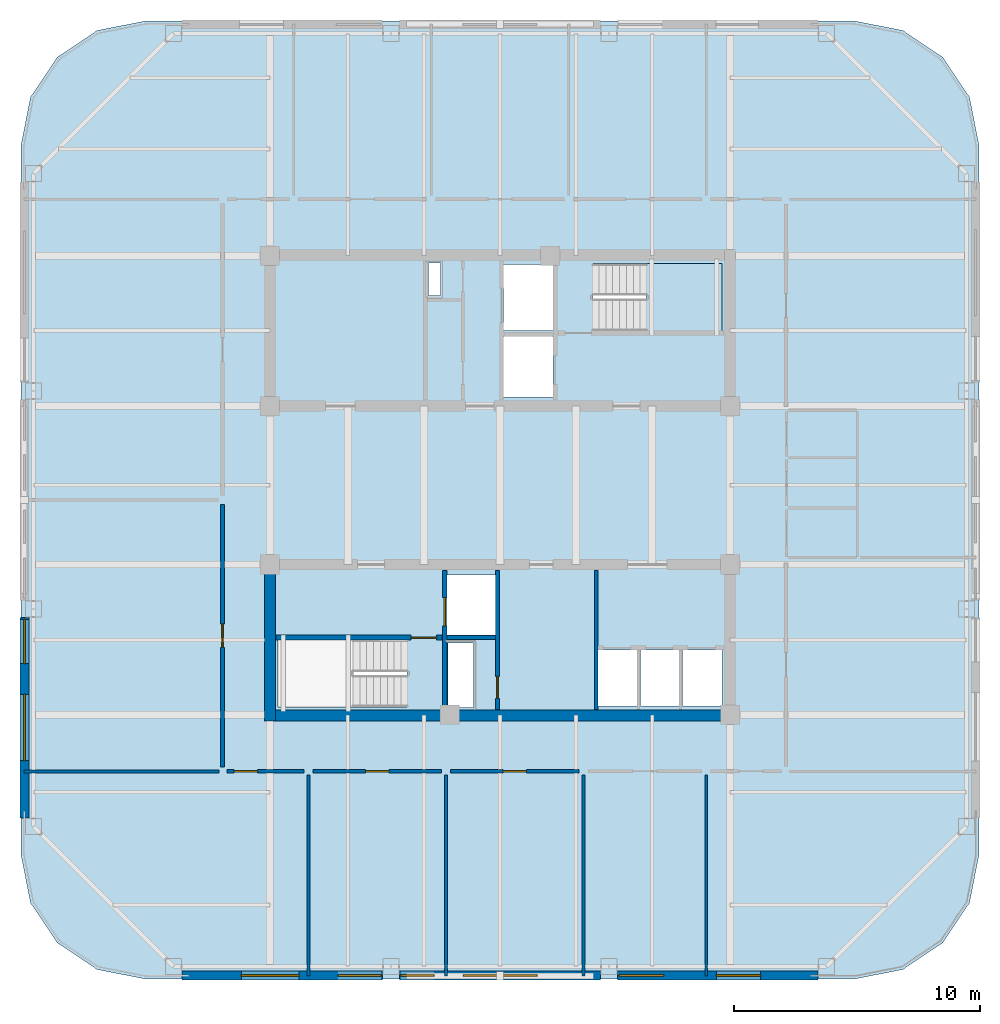
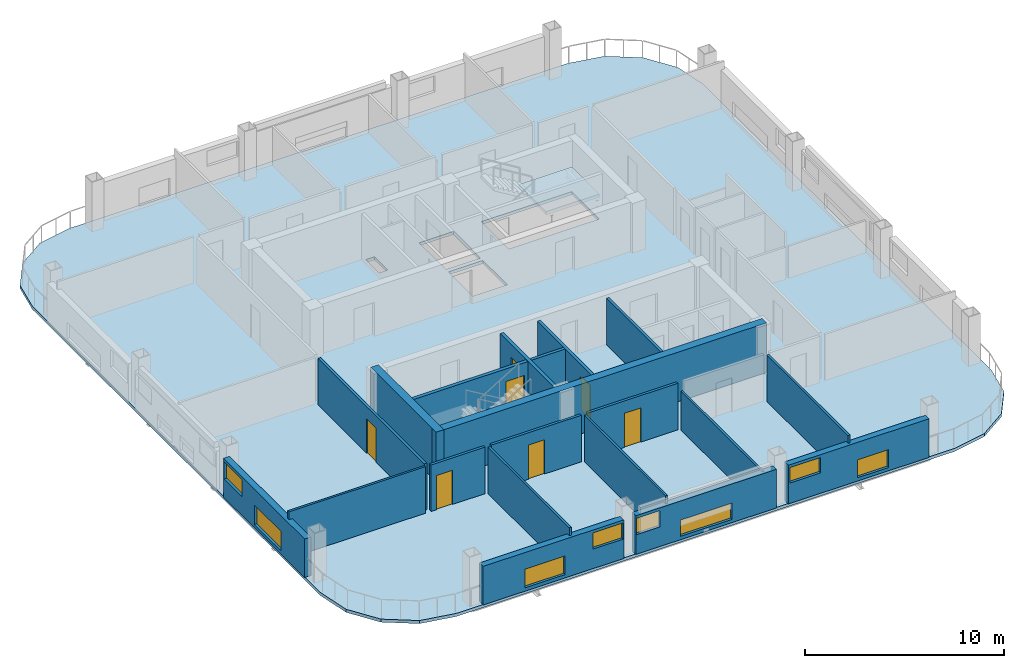
# One storey, part 2 of 8: 20 walls, 8 windows, 7 doors, 2 slabs, 15 openings, 1 element without a shape of its own.
"""IFC4 building model written with IfcOpenShell, lengths in metres."""

from ifc_helpers import new_model, si_unit, direction, frame, frame_2d, origin, place, context, subcontext, project, spatial, polyline, rectangle, outline, extrude, material, layer, layer_set, type_object, element, fill, aggregate, save


model = new_model("IFC4")

# Units and contexts
model_context = context("Model", 3, precision=1e-05, world=origin(), true_north=direction((0.0, 1.0)))
body_context = subcontext(model_context, "Body", "Model", "MODEL_VIEW")
ifc_project = project(units=[si_unit("LENGTHUNIT", "METRE"), si_unit("AREAUNIT", "SQUARE_METRE"), si_unit("VOLUMEUNIT", "CUBIC_METRE"), si_unit("PLANEANGLEUNIT", "RADIAN"), si_unit("MASSUNIT", "GRAM", prefix="KILO")], contexts=[model_context])

# Site, building, storey
site_placement = place(None, origin())
site = spatial("IfcSite", under=ifc_project, at=site_placement, CompositionType="ELEMENT")
building_placement = place(site_placement, origin())
building = spatial("IfcBuilding", under=site, at=building_placement, Name="Qhalaya Broadcast Tower", CompositionType="ELEMENT")
storey_placement = place(building_placement, frame((0.0, 0.0, 214.75)))
storey = spatial("IfcBuildingStorey", under=building, at=storey_placement, Name="L63", CompositionType="ELEMENT", Elevation=214.75)

# Stair, slab
ifc_material_1 = material(Name="Concrete C40/50", Category="concrete")
stair_type = type_object("IfcStairType", Name="Protected Dogleg Core Stair 3150", PredefinedType="TWO_STRAIGHT_RUN_STAIR", material=ifc_material_1)
stair_placement = place(storey_placement, origin())
stair = element("IfcStair", 1, at=stair_placement, inside=storey, type_object=stair_type, Name="L63 North Core Exit Stair ST-1", PredefinedType="TWO_STRAIGHT_RUN_STAIR")
ifc_layer_1 = layer(ifc_material_1, 0.199951171875, Name="Concrete C40/50")
ifc_layer_set_1 = layer_set([ifc_layer_1], Name="Concrete C40/50")
slab_type_1 = type_object("IfcSlabType", Name="Stair & Ramp Half-Landing Slab 200", PredefinedType="LANDING", material=ifc_layer_set_1)
slab_1_placement = place(storey_placement, frame((0.0, 0.0, 1.324951171875)))
slab_1 = element("IfcSlab", 2, at=slab_1_placement, type_object=slab_type_1, Name="ST-1 landing 1", PredefinedType="LANDING", context=body_context, shape_type="SweptSolid", body=[
    extrude(outline(polyline([(5.955078125, 6.8798828125), (9.050048828125, 6.8798828125), (9.050048828125, 9.639892578125), (5.955078125, 9.639892578125), (5.955078125, 6.8798828125)])), origin(), (0.0, 0.0, 1.0), 0.199951171875),
])
aggregate(stair, [slab_1])

# Slab
ifc_layer_2 = layer(ifc_material_1, 0.18994140625, Name="Concrete C40/50")
ifc_layer_set_2 = layer_set([ifc_layer_2], Name="Concrete C40/50")
slab_type_2 = type_object("IfcSlabType", Name="Upper Tower Composite Floor Slab 190", PredefinedType="FLOOR", material=ifc_layer_set_2)
slab_2_placement = place(storey_placement, frame((0.0, 0.0, -0.18994140625)))
element("IfcSlab", 3, at=slab_2_placement, inside=storey, type_object=slab_type_2, Name="L63 Main Structural Floor Slab", PredefinedType="FLOOR", context=body_context, shape_type="SweptSolid", body=[
    extrude(outline(polyline([(14.5, -19.5), (16.413330078125, -19.119384765625), (18.035400390625, -18.035400390625), (19.119384765625, -16.413330078125), (19.5, -14.5), (19.5, 14.5), (19.119384765625, 16.413330078125), (18.035400390625, 18.035400390625), (16.413330078125, 19.119384765625), (14.5, 19.5), (-14.5, 19.5), (-16.413330078125, 19.119384765625), (-18.035400390625, 18.035400390625), (-19.119384765625, 16.413330078125), (-19.5, 14.5), (-19.5, -14.5), (-19.119384765625, -16.413330078125), (-18.035400390625, -18.035400390625), (-16.413330078125, -19.119384765625), (-14.5, -19.5), (14.5, -19.5)]), holes=[polyline([(3.784912109375, 9.639892578125), (9.050048828125, 9.639892578125), (9.050048828125, 6.8798828125), (3.784912109375, 6.8798828125), (3.784912109375, 9.639892578125)]), polyline([(-3.784912109375, -8.43994140625), (-9.050048828125, -8.43994140625), (-9.050048828125, -5.679931640625), (-3.784912109375, -5.679931640625), (-3.784912109375, -8.43994140625)]), polyline([(0.14990234375, 6.64990234375), (2.14990234375, 6.64990234375), (2.14990234375, 4.199951171875), (0.14990234375, 4.199951171875), (0.14990234375, 6.64990234375)]), polyline([(0.14990234375, 9.60009765625), (2.14990234375, 9.60009765625), (2.14990234375, 6.89990234375), (0.14990234375, 6.89990234375), (0.14990234375, 9.60009765625)]), polyline([(-2.14990234375, -3.050048828125), (-0.14990234375, -3.050048828125), (-0.14990234375, -5.5), (-2.14990234375, -5.5), (-2.14990234375, -3.050048828125)]), polyline([(4.0, -6.10009765625), (5.60009765625, -6.10009765625), (5.60009765625, -8.39990234375), (4.0, -8.39990234375), (4.0, -6.10009765625)]), polyline([(5.719970703125, -6.10009765625), (7.320068359375, -6.10009765625), (7.320068359375, -8.39990234375), (5.719970703125, -8.39990234375), (5.719970703125, -6.10009765625)]), polyline([(7.43994140625, -6.10009765625), (9.0400390625, -6.10009765625), (9.0400390625, -8.39990234375), (7.43994140625, -8.39990234375), (7.43994140625, -6.10009765625)]), polyline([(-2.919921875, 9.659912109375), (-2.419921875, 9.659912109375), (-2.419921875, 8.320068359375), (-2.919921875, 8.320068359375), (-2.919921875, 9.659912109375)]), polyline([(-2.1201171875, -5.820068359375), (-1.080078125, -5.820068359375), (-1.080078125, -8.4599609375), (-2.1201171875, -8.4599609375), (-2.1201171875, -5.820068359375)])]), origin(), (0.0, 0.0, 1.0), 0.18994140625),
])

# Wall
ifc_material_2 = material(Name="Gypsum Acoustic Partition")
ifc_layer_3 = layer(ifc_material_2, 0.14990234375, Name="Gypsum Acoustic Partition")
ifc_layer_set_3 = layer_set([ifc_layer_3], Name="Gypsum Acoustic Partition")
wall_type_1 = type_object("IfcWallType", Name="Corridor & Tenancy Acoustic Partition 150", PredefinedType="PARTITIONING", material=ifc_layer_set_3)
wall_1_placement = place(storey_placement, frame((3.919921875, -8.530029296875, 0.0), z_axis=(0.0, 0.0, 1.0), x_axis=(0.0, 1.0, 0.0)))
element("IfcWall", 4, at=wall_1_placement, inside=storey, type_object=wall_type_1, Name="L63 Partition Wall SCW-HSEP", PredefinedType="PARTITIONING", context=body_context, shape_type="SweptSolid", body=[
    extrude(rectangle(XDim=5.659912109375, YDim=0.14990234375, at=frame_2d((2.830078125, 0.0))), origin(), (0.0, 0.0, 1.0), 2.860107421875),
])

# Wall, opening, door
wall_2_placement = place(storey_placement, frame((-11.1201171875, -11.050048828125, 0.0), z_axis=(0.0, 0.0, 1.0), x_axis=(1.0, 0.0, 0.0)))
wall_2 = element("IfcWall", 5, at=wall_2_placement, inside=storey, type_object=wall_type_1, Name="L63 Partition Wall W-COR-06", PredefinedType="PARTITIONING", context=body_context, shape_type="SweptSolid", body=[
    extrude(rectangle(XDim=3.14013671875, YDim=0.14990234375, at=frame_2d((1.570068359375, 0.0))), origin(), (0.0, 0.0, 1.0), 2.860107421875),
])
opening_1_placement = place(wall_2_placement, frame((0.294921875, 0.0, 0.0)))
opening_1 = element("IfcOpeningElement", 6, at=opening_1_placement, cuts=wall_2, Name="Opening D10", PredefinedType="OPENING", context=body_context, shape_type="SweptSolid", body=[
    extrude(rectangle(XDim=0.949951171875, YDim=2.10009765625, at=frame_2d((0.47509765625, 1.050048828125))), frame((0.0, 0.0869140625, 0.0), z_axis=(0.0, -1.0, 0.0), x_axis=(1.0, 0.0, 0.0)), (0.0, 0.0, 1.0), 0.173828125),
])
ifc_material_3 = material(Name="Timber Veneer Acoustic Door", Category="wood")
door_type_1 = type_object("IfcDoorType", Name="Cellular Office & Edit Booth Door D10", OperationType="NOTDEFINED", PredefinedType="DOOR", material=ifc_material_3)
door_1_placement = place(opening_1_placement, origin())
door_1 = element("IfcDoor", 7, at=door_1_placement, inside=storey, type_object=door_type_1, Name="L63 Door D-RM06", OperationType="SINGLE_SWING_RIGHT", OverallHeight=2.10009765625, OverallWidth=0.949951171875, PredefinedType="DOOR", context=body_context, shape_type="SweptSolid", body=[
    extrude(rectangle(XDim=0.949951171875, YDim=2.10009765625, at=frame_2d((0.47509765625, 1.050048828125))), frame((0.0, 0.02490234375, 0.0), z_axis=(0.0, -1.0, 0.0), x_axis=(1.0, 0.0, 0.0)), (0.0, 0.0, 1.0), 0.050048828125),
])
fill(opening_1, door_1)

wall_3_placement = place(storey_placement, frame((-7.6201171875, -11.050048828125, 0.0), z_axis=(0.0, 0.0, 1.0), x_axis=(1.0, 0.0, 0.0)))
wall_3 = element("IfcWall", 8, at=wall_3_placement, inside=storey, type_object=wall_type_1, Name="L63 Partition Wall W-COR-07", PredefinedType="PARTITIONING", context=body_context, shape_type="SweptSolid", body=[
    extrude(rectangle(XDim=5.240234375, YDim=0.14990234375, at=frame_2d((2.6201171875, 0.0))), origin(), (0.0, 0.0, 1.0), 2.860107421875),
])
opening_2_placement = place(wall_3_placement, frame((2.14501953125, 0.0, 0.0)))
opening_2 = element("IfcOpeningElement", 9, at=opening_2_placement, cuts=wall_3, Name="Opening D10", PredefinedType="OPENING", context=body_context, shape_type="SweptSolid", body=[
    extrude(rectangle(XDim=0.949951171875, YDim=2.10009765625, at=frame_2d((0.47509765625, 1.050048828125))), frame((0.0, 0.0869140625, 0.0), z_axis=(0.0, -1.0, 0.0), x_axis=(1.0, 0.0, 0.0)), (0.0, 0.0, 1.0), 0.173828125),
])
door_2_placement = place(opening_2_placement, origin())
door_2 = element("IfcDoor", 10, at=door_2_placement, inside=storey, type_object=door_type_1, Name="L63 Door D-RM07", OperationType="SINGLE_SWING_LEFT", OverallHeight=2.10009765625, OverallWidth=0.949951171875, PredefinedType="DOOR", context=body_context, shape_type="SweptSolid", body=[
    extrude(rectangle(XDim=0.949951171875, YDim=2.10009765625, at=frame_2d((0.47509765625, 1.050048828125))), frame((0.0, 0.02490234375, 0.0), z_axis=(0.0, -1.0, 0.0), x_axis=(1.0, 0.0, 0.0)), (0.0, 0.0, 1.0), 0.050048828125),
])
fill(opening_2, door_2)

wall_4_placement = place(storey_placement, frame((-2.02001953125, -11.050048828125, 0.0), z_axis=(0.0, 0.0, 1.0), x_axis=(1.0, 0.0, 0.0)))
wall_4 = element("IfcWall", 11, at=wall_4_placement, inside=storey, type_object=wall_type_1, Name="L63 Partition Wall W-COR-08", PredefinedType="PARTITIONING", context=body_context, shape_type="SweptSolid", body=[
    extrude(rectangle(XDim=5.239990234375, YDim=0.14990234375, at=frame_2d((2.6201171875, 0.0))), origin(), (0.0, 0.0, 1.0), 2.860107421875),
])
opening_3_placement = place(wall_4_placement, frame((2.14501953125, 0.0, 0.0)))
opening_3 = element("IfcOpeningElement", 12, at=opening_3_placement, cuts=wall_4, Name="Opening D10", PredefinedType="OPENING", context=body_context, shape_type="SweptSolid", body=[
    extrude(rectangle(XDim=0.949951171875, YDim=2.10009765625, at=frame_2d((0.47509765625, 1.050048828125))), frame((0.0, 0.0869140625, 0.0), z_axis=(0.0, -1.0, 0.0), x_axis=(1.0, 0.0, 0.0)), (0.0, 0.0, 1.0), 0.173828125),
])
door_3_placement = place(opening_3_placement, origin())
door_3 = element("IfcDoor", 13, at=door_3_placement, inside=storey, type_object=door_type_1, Name="L63 Door D-RM08", OperationType="SINGLE_SWING_RIGHT", OverallHeight=2.10009765625, OverallWidth=0.949951171875, PredefinedType="DOOR", context=body_context, shape_type="SweptSolid", body=[
    extrude(rectangle(XDim=0.949951171875, YDim=2.10009765625, at=frame_2d((0.47509765625, 1.050048828125))), frame((0.0, 0.02490234375, 0.0), z_axis=(0.0, -1.0, 0.0), x_axis=(1.0, 0.0, 0.0)), (0.0, 0.0, 1.0), 0.050048828125),
])
fill(opening_3, door_3)

wall_5_placement = place(storey_placement, frame((-11.300048828125, -10.8701171875, 0.0), z_axis=(0.0, 0.0, 1.0), x_axis=(0.0, 1.0, 0.0)))
wall_5 = element("IfcWall", 14, at=wall_5_placement, inside=storey, type_object=wall_type_1, Name="L63 Partition Wall W-COR-11", PredefinedType="PARTITIONING", context=body_context, shape_type="SweptSolid", body=[
    extrude(rectangle(XDim=10.690185546875, YDim=0.14990234375, at=frame_2d((5.34521484375, 0.0))), origin(), (0.0, 0.0, 1.0), 2.860107421875),
])
opening_4_placement = place(wall_5_placement, frame((4.8701171875, 0.0, 0.0)))
opening_4 = element("IfcOpeningElement", 15, at=opening_4_placement, cuts=wall_5, Name="Opening D10", PredefinedType="OPENING", context=body_context, shape_type="SweptSolid", body=[
    extrude(rectangle(XDim=0.949951171875, YDim=2.10009765625, at=frame_2d((0.47509765625, 1.050048828125))), frame((0.0, 0.0869140625, 0.0), z_axis=(0.0, -1.0, 0.0), x_axis=(1.0, 0.0, 0.0)), (0.0, 0.0, 1.0), 0.173828125),
])
door_4_placement = place(opening_4_placement, origin())
door_4 = element("IfcDoor", 16, at=door_4_placement, inside=storey, type_object=door_type_1, Name="L63 Door D-RM11", OperationType="SINGLE_SWING_LEFT", OverallHeight=2.10009765625, OverallWidth=0.949951171875, PredefinedType="DOOR", context=body_context, shape_type="SweptSolid", body=[
    extrude(rectangle(XDim=0.949951171875, YDim=2.10009765625, at=frame_2d((0.47509765625, 1.050048828125))), frame((0.0, 0.02490234375, 0.0), z_axis=(0.0, -1.0, 0.0), x_axis=(1.0, 0.0, 0.0)), (0.0, 0.0, 1.0), 0.050048828125),
])
fill(opening_4, door_4)

# Wall, openings, windows
ifc_material_4 = material(Name="Precast Concrete C40/50", Category="concrete")
ifc_layer_4 = layer(ifc_material_4, 0.360107421875, Name="Precast Concrete C40/50")
ifc_layer_set_4 = layer_set([ifc_layer_4], Name="Precast Concrete C40/50")
wall_type_2 = type_object("IfcWallType", Name="Insulated Precast Terracotta Exterior Wall 360", PredefinedType="SOLIDWALL", material=ifc_layer_set_4)
wall_6_placement = place(storey_placement, frame((12.9619140625, -19.360107421875, 0.0), z_axis=(0.0, 0.0, 1.0), x_axis=(-1.0, 0.0, 0.0)))
wall_6 = element("IfcWall", 17, at=wall_6_placement, inside=storey, type_object=wall_type_2, Name="L63 Exoskeleton Diagrid Infill Wall S1", PredefinedType="SOLIDWALL", context=body_context, shape_type="SweptSolid", body=[
    extrude(rectangle(XDim=8.1787109375, YDim=0.360107421875, at=frame_2d((4.08935546875, 0.0))), origin(), (0.0, 0.0, 1.0), 2.3740234375),
])
opening_5_placement = place(wall_6_placement, frame((2.35009765625, 0.0, 0.199951171875)))
opening_5 = element("IfcOpeningElement", 18, at=opening_5_placement, cuts=wall_6, Name="Opening W13", PredefinedType="OPENING", context=body_context, shape_type="SweptSolid", body=[
    extrude(rectangle(XDim=1.800048828125, YDim=1.10009765625, at=frame_2d((0.89990234375, 0.550048828125))), frame((0.0, 0.192138671875, 0.0), z_axis=(0.0, -1.0, 0.0), x_axis=(1.0, 0.0, 0.0)), (0.0, 0.0, 1.0), 0.384033203125),
])
opening_6_placement = place(wall_6_placement, frame((6.300048828125, 0.0, 1.25)))
opening_6 = element("IfcOpeningElement", 19, at=opening_6_placement, cuts=wall_6, Name="Opening W13", PredefinedType="OPENING", context=body_context, shape_type="SweptSolid", body=[
    extrude(rectangle(XDim=1.800048828125, YDim=0.949951171875, at=frame_2d((0.89990234375, 0.47509765625))), frame((0.0, 0.192138671875, 0.0), z_axis=(0.0, -1.0, 0.0), x_axis=(1.0, 0.0, 0.0)), (0.0, 0.0, 1.0), 0.384033203125),
])
ifc_material_5 = material(Name="Solar-Control Low-E Triple Glazing", Category="glass")
window_type = type_object("IfcWindowType", Name="Upper-Block Diagrid Infill Window W13", PartitioningType="SINGLE_PANEL", PredefinedType="WINDOW", material=ifc_material_5)
window_1_placement = place(opening_5_placement, origin())
window_1 = element("IfcWindow", 20, at=window_1_placement, inside=storey, type_object=window_type, Name="L63 Diagrid Infill Window W13-S1", OverallHeight=1.10009765625, OverallWidth=1.800048828125, PartitioningType="SINGLE_PANEL", PredefinedType="WINDOW", context=body_context, shape_type="SweptSolid", body=[
    extrude(rectangle(XDim=1.800048828125, YDim=1.10009765625, at=frame_2d((0.89990234375, 0.550048828125))), frame((0.0, 0.030029296875, 0.0), z_axis=(0.0, -1.0, 0.0), x_axis=(1.0, 0.0, 0.0)), (0.0, 0.0, 1.0), 0.06005859375),
])
fill(opening_5, window_1)
window_2_placement = place(opening_6_placement, origin())
window_2 = element("IfcWindow", 21, at=window_2_placement, inside=storey, type_object=window_type, Name="L63 Diagrid Infill Window W13-S2", OverallHeight=0.949951171875, OverallWidth=1.800048828125, PartitioningType="SINGLE_PANEL", PredefinedType="WINDOW", context=body_context, shape_type="SweptSolid", body=[
    extrude(rectangle(XDim=1.800048828125, YDim=0.949951171875, at=frame_2d((0.89990234375, 0.47509765625))), frame((0.0, 0.030029296875, 0.0), z_axis=(0.0, -1.0, 0.0), x_axis=(1.0, 0.0, 0.0)), (0.0, 0.0, 1.0), 0.06005859375),
])
fill(opening_6, window_2)

wall_7_placement = place(storey_placement, frame((4.083251953125, -19.360107421875, 0.0), z_axis=(0.0, 0.0, 1.0), x_axis=(-1.0, 0.0, 0.0)))
wall_7 = element("IfcWall", 22, at=wall_7_placement, inside=storey, type_object=wall_type_2, Name="L63 Exoskeleton Diagrid Infill Wall S2", PredefinedType="SOLIDWALL", context=body_context, shape_type="SweptSolid", body=[
    extrude(rectangle(XDim=8.16650390625, YDim=0.360107421875, at=frame_2d((4.083251953125, 0.0))), origin(), (0.0, 0.0, 1.0), 2.3740234375),
])
opening_7_placement = place(wall_7_placement, frame((2.571044921875, 0.0, 0.199951171875)))
opening_7 = element("IfcOpeningElement", 23, at=opening_7_placement, cuts=wall_7, Name="Opening W13", PredefinedType="OPENING", context=body_context, shape_type="SweptSolid", body=[
    extrude(rectangle(XDim=3.0, YDim=1.0, at=frame_2d((1.5, 0.5))), frame((0.0, 0.192138671875, 0.0), z_axis=(0.0, -1.0, 0.0), x_axis=(1.0, 0.0, 0.0)), (0.0, 0.0, 1.0), 0.384033203125),
])
opening_8_placement = place(wall_7_placement, frame((6.77099609375, 0.0, 1.199951171875)))
opening_8 = element("IfcOpeningElement", 24, at=opening_8_placement, cuts=wall_7, Name="Opening W13", PredefinedType="OPENING", context=body_context, shape_type="SweptSolid", body=[
    extrude(rectangle(XDim=1.35009765625, YDim=1.0, at=frame_2d((0.675048828125, 0.5))), frame((0.0, 0.192138671875, 0.0), z_axis=(0.0, -1.0, 0.0), x_axis=(1.0, 0.0, 0.0)), (0.0, 0.0, 1.0), 0.384033203125),
])
window_3_placement = place(opening_7_placement, origin())
window_3 = element("IfcWindow", 25, at=window_3_placement, inside=storey, type_object=window_type, Name="L63 Diagrid Infill Window W13-S3", OverallHeight=1.0, OverallWidth=3.0, PartitioningType="SINGLE_PANEL", PredefinedType="WINDOW", context=body_context, shape_type="SweptSolid", body=[
    extrude(rectangle(XDim=3.0, YDim=1.0, at=frame_2d((1.5, 0.5))), frame((0.0, 0.030029296875, 0.0), z_axis=(0.0, -1.0, 0.0), x_axis=(1.0, 0.0, 0.0)), (0.0, 0.0, 1.0), 0.06005859375),
])
fill(opening_7, window_3)
window_4_placement = place(opening_8_placement, origin())
window_4 = element("IfcWindow", 26, at=window_4_placement, inside=storey, type_object=window_type, Name="L63 Diagrid Infill Window W13-S4", OverallHeight=1.0, OverallWidth=1.35009765625, PartitioningType="SINGLE_PANEL", PredefinedType="WINDOW", context=body_context, shape_type="SweptSolid", body=[
    extrude(rectangle(XDim=1.35009765625, YDim=1.0, at=frame_2d((0.675048828125, 0.5))), frame((0.0, 0.030029296875, 0.0), z_axis=(0.0, -1.0, 0.0), x_axis=(1.0, 0.0, 0.0)), (0.0, 0.0, 1.0), 0.06005859375),
])
fill(opening_8, window_4)

wall_8_placement = place(storey_placement, frame((-4.783203125, -19.360107421875, 0.0), z_axis=(0.0, 0.0, 1.0), x_axis=(-1.0, 0.0, 0.0)))
wall_8 = element("IfcWall", 27, at=wall_8_placement, inside=storey, type_object=wall_type_2, Name="L63 Exoskeleton Diagrid Infill Wall S3", PredefinedType="SOLIDWALL", context=body_context, shape_type="SweptSolid", body=[
    extrude(rectangle(XDim=8.1787109375, YDim=0.360107421875, at=frame_2d((4.08935546875, 0.0))), origin(), (0.0, 0.0, 1.0), 2.3740234375),
])
opening_9_placement = place(wall_8_placement, frame((0.054931640625, 0.0, 1.199951171875)))
opening_9 = element("IfcOpeningElement", 28, at=opening_9_placement, cuts=wall_8, Name="Opening W13", PredefinedType="OPENING", context=body_context, shape_type="SweptSolid", body=[
    extrude(rectangle(XDim=1.75, YDim=1.0, at=frame_2d((0.875, 0.5))), frame((0.0, 0.192138671875, 0.0), z_axis=(0.0, -1.0, 0.0), x_axis=(1.0, 0.0, 0.0)), (0.0, 0.0, 1.0), 0.384033203125),
])
opening_10_placement = place(wall_8_placement, frame((3.405029296875, 0.0, 0.199951171875)))
opening_10 = element("IfcOpeningElement", 29, at=opening_10_placement, cuts=wall_8, Name="Opening W13", PredefinedType="OPENING", context=body_context, shape_type="SweptSolid", body=[
    extrude(rectangle(XDim=2.35009765625, YDim=1.14990234375, at=frame_2d((1.175048828125, 0.574951171875))), frame((0.0, 0.192138671875, 0.0), z_axis=(0.0, -1.0, 0.0), x_axis=(1.0, 0.0, 0.0)), (0.0, 0.0, 1.0), 0.384033203125),
])
window_5_placement = place(opening_9_placement, origin())
window_5 = element("IfcWindow", 30, at=window_5_placement, inside=storey, type_object=window_type, Name="L63 Diagrid Infill Window W13-S5", OverallHeight=1.0, OverallWidth=1.75, PartitioningType="SINGLE_PANEL", PredefinedType="WINDOW", context=body_context, shape_type="SweptSolid", body=[
    extrude(rectangle(XDim=1.75, YDim=1.0, at=frame_2d((0.875, 0.5))), frame((0.0, 0.030029296875, 0.0), z_axis=(0.0, -1.0, 0.0), x_axis=(1.0, 0.0, 0.0)), (0.0, 0.0, 1.0), 0.06005859375),
])
fill(opening_9, window_5)
window_6_placement = place(opening_10_placement, origin())
window_6 = element("IfcWindow", 31, at=window_6_placement, inside=storey, type_object=window_type, Name="L63 Diagrid Infill Window W13-S6", OverallHeight=1.14990234375, OverallWidth=2.35009765625, PartitioningType="SINGLE_PANEL", PredefinedType="WINDOW", context=body_context, shape_type="SweptSolid", body=[
    extrude(rectangle(XDim=2.35009765625, YDim=1.14990234375, at=frame_2d((1.175048828125, 0.574951171875))), frame((0.0, 0.030029296875, 0.0), z_axis=(0.0, -1.0, 0.0), x_axis=(1.0, 0.0, 0.0)), (0.0, 0.0, 1.0), 0.06005859375),
])
fill(opening_10, window_6)

wall_9_placement = place(storey_placement, frame((-19.360107421875, -12.9619140625, 0.0), z_axis=(0.0, 0.0, 1.0), x_axis=(0.0, 1.0, 0.0)))
wall_9 = element("IfcWall", 32, at=wall_9_placement, inside=storey, type_object=wall_type_2, Name="L63 Exoskeleton Diagrid Infill Wall W1", PredefinedType="SOLIDWALL", context=body_context, shape_type="SweptSolid", body=[
    extrude(rectangle(XDim=8.1787109375, YDim=0.360107421875, at=frame_2d((4.08935546875, 0.0))), origin(), (0.0, 0.0, 1.0), 2.3740234375),
])
opening_11_placement = place(wall_9_placement, frame((2.35009765625, 0.0, 0.199951171875)))
opening_11 = element("IfcOpeningElement", 33, at=opening_11_placement, cuts=wall_9, Name="Opening W13", PredefinedType="OPENING", context=body_context, shape_type="SweptSolid", body=[
    extrude(rectangle(XDim=2.699951171875, YDim=1.199951171875, at=frame_2d((1.35009765625, 0.60009765625))), frame((0.0, 0.192138671875, 0.0), z_axis=(0.0, -1.0, 0.0), x_axis=(1.0, 0.0, 0.0)), (0.0, 0.0, 1.0), 0.384033203125),
])
opening_12_placement = place(wall_9_placement, frame((6.300048828125, 0.0, 1.14990234375)))
opening_12 = element("IfcOpeningElement", 34, at=opening_12_placement, cuts=wall_9, Name="Opening W13", PredefinedType="OPENING", context=body_context, shape_type="SweptSolid", body=[
    extrude(rectangle(XDim=1.800048828125, YDim=1.050048828125, at=frame_2d((0.89990234375, 0.52490234375))), frame((0.0, 0.192138671875, 0.0), z_axis=(0.0, -1.0, 0.0), x_axis=(1.0, 0.0, 0.0)), (0.0, 0.0, 1.0), 0.384033203125),
])
window_7_placement = place(opening_11_placement, origin())
window_7 = element("IfcWindow", 35, at=window_7_placement, inside=storey, type_object=window_type, Name="L63 Diagrid Infill Window W13-W1", OverallHeight=1.199951171875, OverallWidth=2.699951171875, PartitioningType="SINGLE_PANEL", PredefinedType="WINDOW", context=body_context, shape_type="SweptSolid", body=[
    extrude(rectangle(XDim=2.699951171875, YDim=1.199951171875, at=frame_2d((1.35009765625, 0.60009765625))), frame((0.0, 0.030029296875, 0.0), z_axis=(0.0, -1.0, 0.0), x_axis=(1.0, 0.0, 0.0)), (0.0, 0.0, 1.0), 0.06005859375),
])
fill(opening_11, window_7)
window_8_placement = place(opening_12_placement, origin())
window_8 = element("IfcWindow", 36, at=window_8_placement, inside=storey, type_object=window_type, Name="L63 Diagrid Infill Window W13-W2", OverallHeight=1.050048828125, OverallWidth=1.800048828125, PartitioningType="SINGLE_PANEL", PredefinedType="WINDOW", context=body_context, shape_type="SweptSolid", body=[
    extrude(rectangle(XDim=1.800048828125, YDim=1.050048828125, at=frame_2d((0.89990234375, 0.52490234375))), frame((0.0, 0.030029296875, 0.0), z_axis=(0.0, -1.0, 0.0), x_axis=(1.0, 0.0, 0.0)), (0.0, 0.0, 1.0), 0.06005859375),
])
fill(opening_12, window_8)

# Wall, opening, door
ifc_material_6 = material(Name="Concrete C50/60", Category="concrete")
ifc_layer_5 = layer(ifc_material_6, 0.199951171875, Name="Concrete C50/60")
ifc_layer_set_5 = layer_set([ifc_layer_5], Name="Concrete C50/60")
wall_type_3 = type_object("IfcWallType", Name="Load-Bearing Stair Shaft Wall 200", PredefinedType="SHEAR", material=ifc_layer_set_5)
wall_10_placement = place(storey_placement, frame((-9.1298828125, -5.60498046875, 0.0), z_axis=(0.0, 0.0, 1.0), x_axis=(1.0, 0.0, 0.0)))
wall_10 = element("IfcWall", 37, at=wall_10_placement, inside=storey, type_object=wall_type_3, Name="L63 Stair Core Shear Wall SCW-ST2", PredefinedType="SHEAR", context=body_context, shape_type="SweptSolid", body=[
    extrude(rectangle(XDim=6.769775390625, YDim=0.199951171875, at=frame_2d((3.384765625, 0.0))), origin(), (0.0, 0.0, 1.0), 2.860107421875),
])
opening_13_placement = place(wall_10_placement, frame((5.5, 0.0, 0.0)))
opening_13 = element("IfcOpeningElement", 38, at=opening_13_placement, cuts=wall_10, Name="Opening D03", PredefinedType="OPENING", context=body_context, shape_type="SweptSolid", body=[
    extrude(rectangle(XDim=1.050048828125, YDim=2.080078125, at=frame_2d((0.52490234375, 1.0400390625))), frame((0.0, 0.112060546875, 0.0), z_axis=(0.0, -1.0, 0.0), x_axis=(1.0, 0.0, 0.0)), (0.0, 0.0, 1.0), 0.223876953125),
])
ifc_material_7 = material(Name="Fire-Rated Steel Door", Category="steel")
door_type_2 = type_object("IfcDoorType", Name="Core Stair Protected Fire Door D03", OperationType="NOTDEFINED", PredefinedType="DOOR", material=ifc_material_7)
door_5_placement = place(opening_13_placement, origin())
door_5 = element("IfcDoor", 39, at=door_5_placement, inside=storey, type_object=door_type_2, Name="L63 Door D-SST2", OperationType="SINGLE_SWING_RIGHT", OverallHeight=2.080078125, OverallWidth=1.050048828125, PredefinedType="DOOR", context=body_context, shape_type="SweptSolid", body=[
    extrude(rectangle(XDim=1.050048828125, YDim=2.080078125, at=frame_2d((0.52490234375, 1.0400390625))), frame((0.0, 0.02490234375, 0.0), z_axis=(0.0, -1.0, 0.0), x_axis=(1.0, 0.0, 0.0)), (0.0, 0.0, 1.0), 0.050048828125),
])
fill(opening_13, door_5)

wall_11_placement = place(storey_placement, frame((-2.25, -8.530029296875, 0.0), z_axis=(0.0, 0.0, 1.0), x_axis=(0.0, 1.0, 0.0)))
wall_11 = element("IfcWall", 40, at=wall_11_placement, inside=storey, type_object=wall_type_3, Name="L63 Stair Core Shear Wall SCW-FF", PredefinedType="SHEAR", context=body_context, shape_type="SweptSolid", body=[
    extrude(rectangle(XDim=5.659912109375, YDim=0.199951171875, at=frame_2d((2.830078125, 0.0))), origin(), (0.0, 0.0, 1.0), 2.860107421875),
])
opening_14_placement = place(wall_11_placement, frame((3.39990234375, 0.0, 0.0)))
opening_14 = element("IfcOpeningElement", 41, at=opening_14_placement, cuts=wall_11, Name="Opening LD2", PredefinedType="OPENING", context=body_context, shape_type="SweptSolid", body=[
    extrude(rectangle(XDim=1.14990234375, YDim=2.080078125, at=frame_2d((0.574951171875, 1.0400390625))), frame((0.0, 0.112060546875, 0.0), z_axis=(0.0, -1.0, 0.0), x_axis=(1.0, 0.0, 0.0)), (0.0, 0.0, 1.0), 0.223876953125),
])
ifc_material_8 = material(Name="Brushed Stainless Steel Lift Door", Category="steel")
door_type_3 = type_object("IfcDoorType", Name="Firefighting Lift Sliding Landing Door LD2", OperationType="DOUBLE_DOOR_SLIDING", PredefinedType="DOOR", material=ifc_material_8)
door_6_placement = place(opening_14_placement, origin())
door_6 = element("IfcDoor", 42, at=door_6_placement, inside=storey, type_object=door_type_3, Name="L63 Door LD-FF2", OperationType="DOUBLE_DOOR_SLIDING", OverallHeight=2.080078125, OverallWidth=1.14990234375, PredefinedType="DOOR", context=body_context, shape_type="SweptSolid", body=[
    extrude(rectangle(XDim=1.14990234375, YDim=2.080078125, at=frame_2d((0.574951171875, 1.0400390625))), frame((0.0, 0.02490234375, 0.0), z_axis=(0.0, -1.0, 0.0), x_axis=(1.0, 0.0, 0.0)), (0.0, 0.0, 1.0), 0.050048828125),
])
fill(opening_14, door_6)

# Walls
ifc_layer_6 = layer(ifc_material_2, 0.1201171875, Name="Gypsum Acoustic Partition")
ifc_layer_set_6 = layer_set([ifc_layer_6], Name="Gypsum Acoustic Partition")
wall_type_4 = type_object("IfcWallType", Name="Office, Booth & Sanitary Partition 120", PredefinedType="PARTITIONING", material=ifc_layer_set_6)
wall_12_placement = place(storey_placement, frame((-19.3798828125, -11.050048828125, 0.0), z_axis=(0.0, 0.0, 1.0), x_axis=(1.0, 0.0, 0.0)))
element("IfcWall", 43, at=wall_12_placement, inside=storey, type_object=wall_type_4, Name="L63 Partition Wall W-BNDW2", PredefinedType="PARTITIONING", context=body_context, shape_type="SweptSolid", body=[
    extrude(rectangle(XDim=7.93994140625, YDim=0.1201171875, at=frame_2d((3.969970703125, 0.0))), origin(), (0.0, 0.0, 1.0), 2.860107421875),
])
for number, where, z_axis, x_axis, name in (
    (44, (-7.800048828125, -19.3798828125, 0.0), (0.0, 0.0, 1.0), (0.0, 1.0, 0.0), "L63 Partition Wall W-DIVS1"),
    (45, (-2.199951171875, -19.3798828125, 0.0), (0.0, 0.0, 1.0), (0.0, 1.0, 0.0), "L63 Partition Wall W-DIVS2"),
):
    element("IfcWall", number, at=place(storey_placement, frame(where, z_axis=z_axis, x_axis=x_axis)), inside=storey, type_object=wall_type_4, Name=name, PredefinedType="PARTITIONING", context=body_context, shape_type="SweptSolid", body=[
        extrude(rectangle(XDim=8.169921875, YDim=0.1201171875, at=frame_2d((4.0849609375, 0.0))), origin(), (0.0, 0.0, 1.0), 2.860107421875),
    ])
wall_13_placement = place(storey_placement, frame((3.39990234375, -19.3798828125, 0.0), z_axis=(0.0, 0.0, 1.0), x_axis=(0.0, 1.0, 0.0)))
element("IfcWall", 46, at=wall_13_placement, inside=storey, type_object=wall_type_4, Name="L63 Partition Wall W-DIVS3", PredefinedType="PARTITIONING", context=body_context, shape_type="SweptSolid", body=[
    extrude(rectangle(XDim=8.169921875, YDim=0.1201171875, at=frame_2d((4.0849609375, 0.0))), origin(), (0.0, 0.0, 1.0), 2.381103515625),
])
wall_14_placement = place(storey_placement, frame((8.39990234375, -19.3798828125, 0.0), z_axis=(0.0, 0.0, 1.0), x_axis=(0.0, 1.0, 0.0)))
element("IfcWall", 47, at=wall_14_placement, inside=storey, type_object=wall_type_4, Name="L63 Partition Wall W-DIVS4", PredefinedType="PARTITIONING", context=body_context, shape_type="SweptSolid", body=[
    extrude(rectangle(XDim=8.169921875, YDim=0.1201171875, at=frame_2d((4.0849609375, 0.0))), origin(), (0.0, 0.0, 1.0), 2.860107421875),
])

# Wall, opening, door
ifc_layer_7 = layer(ifc_material_2, 0.175048828125, Name="Gypsum Acoustic Partition")
ifc_layer_set_7 = layer_set([ifc_layer_7], Name="Gypsum Acoustic Partition")
wall_type_5 = type_object("IfcWallType", Name="Shaft & Riser Fire Partition 175", PredefinedType="PARTITIONING", material=ifc_layer_set_7)
wall_15_placement = place(storey_placement, frame((-0.10009765625, -8.530029296875, 0.0), z_axis=(0.0, 0.0, 1.0), x_axis=(0.0, 1.0, 0.0)))
wall_15 = element("IfcWall", 48, at=wall_15_placement, inside=storey, type_object=wall_type_5, Name="L63 Partition Wall SCW-FFE", PredefinedType="PARTITIONING", context=body_context, shape_type="SweptSolid", body=[
    extrude(rectangle(XDim=5.659912109375, YDim=0.175048828125, at=frame_2d((2.830078125, 0.0))), origin(), (0.0, 0.0, 1.0), 2.860107421875),
])
opening_15_placement = place(wall_15_placement, frame((0.449951171875, 0.0, 0.0)))
opening_15 = element("IfcOpeningElement", 49, at=opening_15_placement, cuts=wall_15, Name="Opening D06", PredefinedType="OPENING", context=body_context, shape_type="SweptSolid", body=[
    extrude(rectangle(XDim=0.89990234375, YDim=2.050048828125, at=frame_2d((0.449951171875, 1.02490234375))), frame((0.0, 0.099609375, 0.0), z_axis=(0.0, -1.0, 0.0), x_axis=(1.0, 0.0, 0.0)), (0.0, 0.0, 1.0), 0.198974609375),
])
door_type_4 = type_object("IfcDoorType", Name="Riser & Electrical Shaft Access Door D06", OperationType="NOTDEFINED", PredefinedType="DOOR", material=ifc_material_7)
door_7_placement = place(opening_15_placement, origin())
door_7 = element("IfcDoor", 50, at=door_7_placement, inside=storey, type_object=door_type_4, Name="L63 Riser Shaft Access Door D-SRSR", OperationType="SINGLE_SWING_LEFT", OverallHeight=2.050048828125, OverallWidth=0.89990234375, PredefinedType="DOOR", context=body_context, shape_type="SweptSolid", body=[
    extrude(rectangle(XDim=0.89990234375, YDim=2.050048828125, at=frame_2d((0.449951171875, 1.02490234375))), frame((0.0, 0.02490234375, 0.0), z_axis=(0.0, -1.0, 0.0), x_axis=(1.0, 0.0, 0.0)), (0.0, 0.0, 1.0), 0.050048828125),
])
fill(opening_15, door_7)

# Walls
wall_16_placement = place(storey_placement, frame((-2.14990234375, -5.60009765625, 0.0), z_axis=(0.0, 0.0, 1.0), x_axis=(1.0, 0.0, 0.0)))
element("IfcWall", 51, at=wall_16_placement, inside=storey, type_object=wall_type_5, Name="L63 Partition Wall SCW-FFM", PredefinedType="PARTITIONING", context=body_context, shape_type="SweptSolid", body=[
    extrude(rectangle(XDim=1.969970703125, YDim=0.175048828125, at=frame_2d((0.98486328125, 0.0))), origin(), (0.0, 0.0, 1.0), 2.860107421875),
])
ifc_layer_8 = layer(ifc_material_6, 0.449951171875, Name="Concrete C50/60")
ifc_layer_set_8 = layer_set([ifc_layer_8], Name="Concrete C50/60")
wall_type_6 = type_object("IfcWallType", Name="Upper Split-Core Shear Wall 450", PredefinedType="SHEAR", material=ifc_layer_set_8)
wall_17_placement = place(storey_placement, frame((-9.60009765625, -8.77490234375, 0.0), z_axis=(0.0, 0.0, 1.0), x_axis=(1.0, 0.0, 0.0)))
element("IfcWall", 52, at=wall_17_placement, inside=storey, type_object=wall_type_6, Name="L63 Split-Core Shear Wall CW-SS", PredefinedType="SHEAR", context=body_context, shape_type="SweptSolid", body=[
    extrude(rectangle(XDim=19.2001953125, YDim=0.449951171875, at=frame_2d((9.60009765625, 0.0))), origin(), (0.0, 0.0, 1.0), 3.050048828125),
])
wall_18_placement = place(storey_placement, frame((-9.375, -9.0, 0.0), z_axis=(0.0, 0.0, 1.0), x_axis=(0.0, 1.0, 0.0)))
element("IfcWall", 53, at=wall_18_placement, inside=storey, type_object=wall_type_6, Name="L63 Split-Core Shear Wall CW-SW", PredefinedType="SHEAR", context=body_context, shape_type="SweptSolid", body=[
    extrude(rectangle(XDim=6.60009765625, YDim=0.449951171875, at=frame_2d((3.300048828125, 0.0))), origin(), (0.0, 0.0, 1.0), 3.050048828125),
])

save(model, "model.ifc")
